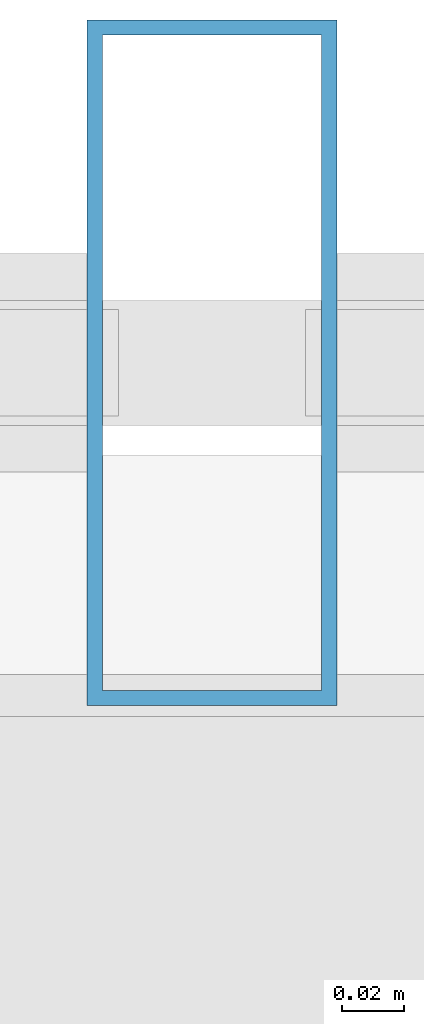
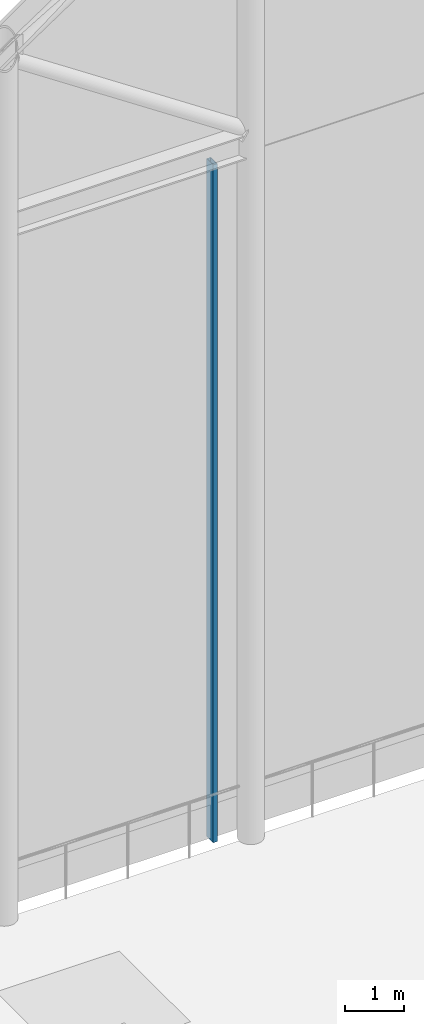
# One storey, part 26 of 42: 1 member, 1 element without a shape of its own.
"""IFC4 building model written with IfcOpenShell, lengths in metres."""

from ifc_helpers import new_model, si_unit, direction, frame, origin, origin_2d, place, context, subcontext, project, spatial, hollow_rectangle, extrude, material, layer, layer_set, material_profile, profile_set, type_object, element, aggregate, save


model = new_model("IFC4")

# Units and contexts
model_context = context("Model", 3, precision=1e-05, world=origin(), true_north=direction((0.0, 1.0)))
body_context = subcontext(model_context, "Body", "Model", "MODEL_VIEW")
ifc_project = project(units=[si_unit("LENGTHUNIT", "METRE"), si_unit("AREAUNIT", "SQUARE_METRE"), si_unit("VOLUMEUNIT", "CUBIC_METRE"), si_unit("PLANEANGLEUNIT", "RADIAN"), si_unit("MASSUNIT", "GRAM", prefix="KILO")], contexts=[model_context])

# Site, building, storey
site_placement = place(None, origin())
site = spatial("IfcSite", under=ifc_project, at=site_placement, CompositionType="ELEMENT")
building_placement = place(site_placement, origin())
building = spatial("IfcBuilding", under=site, at=building_placement, Name="Kallvorn Hotel Tower", CompositionType="ELEMENT")
storey_placement = place(building_placement, frame((0.0, 0.0, 306.0)))
storey = spatial("IfcBuildingStorey", under=building, at=storey_placement, Name="ROOF", CompositionType="ELEMENT", Elevation=306.0)

# Curtain wall, member
ifc_material_1 = material(Name="Thermally broken black-anodised aluminium AA 6063-T6", Category="aluminium")
ifc_layer = layer(ifc_material_1, 0.18994140625)
ifc_layer_set = layer_set([ifc_layer], Name="CW_SYS_7_CROWN_DRUM")
curtain_wall_type = type_object("IfcCurtainWallType", Name="CW_SYS_7_CROWN_DRUM", PredefinedType="USERDEFINED", material=ifc_layer_set)
curtain_wall_placement = place(storey_placement, origin())
curtain_wall = element("IfcCurtainWall", 1, at=curtain_wall_placement, inside=storey, type_object=curtain_wall_type, Name="ROOF Dark-Glass Curtain Wall CW-ROOF-N1", ObjectType="UNITISED CURTAIN WALL", PredefinedType="USERDEFINED")
ifc_material_2 = material(Name="Thermally broken black-anodised aluminium AA 6063-T6", Category="aluminium")
ifc_material_profile = material_profile(ifc_material_2, hollow_rectangle(XDim=0.080078125, YDim=0.219970703125, WallThickness=0.0048828125, at=origin_2d()), Name="MUL 220x80")
ifc_profile_set = profile_set([ifc_material_profile], Name="Thermally broken black-anodised aluminium AA 6063-T6")
member_type = type_object("IfcMemberType", Name="CW_MULLION_220x80", PredefinedType="MULLION", material=ifc_profile_set)
member_placement = place(storey_placement, frame((-15.010009765625, 14.64990234375, 0.02001953125), z_axis=(0.0, 0.0, 1.0), x_axis=(1.0, 0.0, 0.0)))
member = element("IfcMember", 2, at=member_placement, type_object=member_type, Name="CW-ROOF-N1 Mullion 01", PredefinedType="MULLION", context=body_context, shape_type="SweptSolid", body=[
    extrude(hollow_rectangle(XDim=0.080078125, YDim=0.219970703125, WallThickness=0.0048828125, at=origin_2d()), origin(), (0.0, 0.0, 1.0), 13.9599609375),
])
aggregate(curtain_wall, [member])

save(model, "model.ifc")
